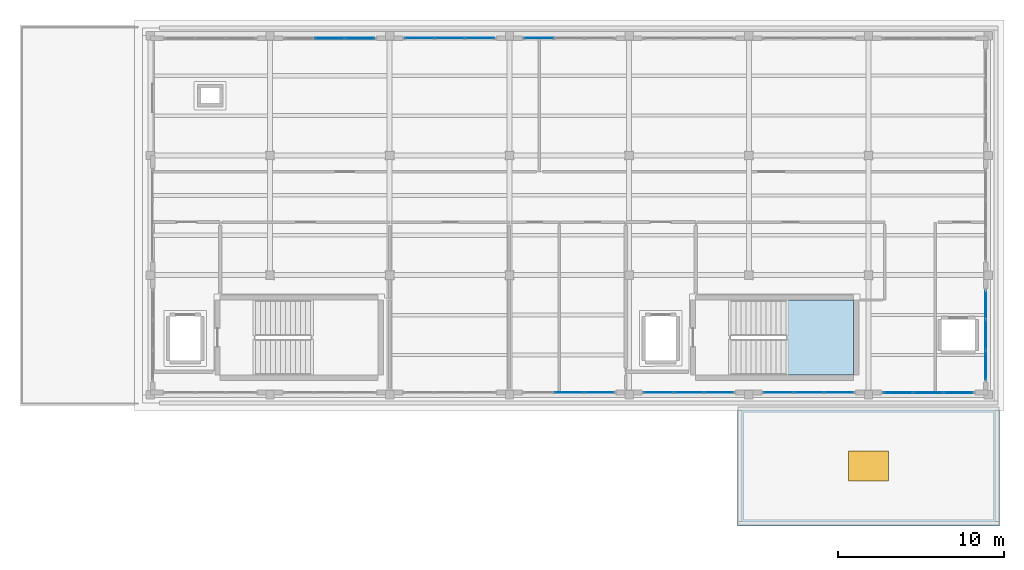
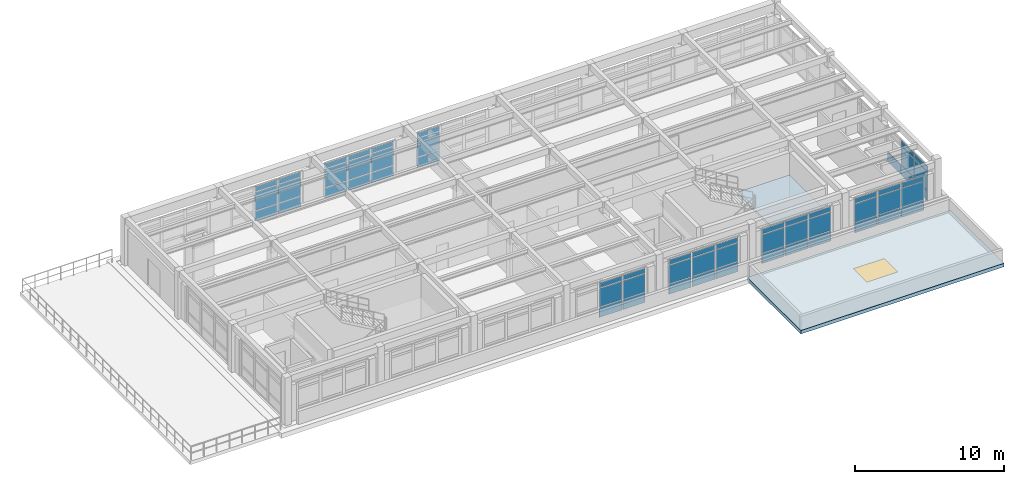
# One storey, part 9 of 15: 58 plates, 2 slabs, 1 window, 1 opening, 9 elements without a shape of their own.
"""IFC4 building model written with IfcOpenShell, lengths in metres."""

from ifc_helpers import new_model, si_unit, direction, frame, origin, origin_2d, place, context, subcontext, project, spatial, polyline, rectangle, outline, extrude, material, layer, layer_set, type_object, element, fill, aggregate, save


model = new_model("IFC4")

# Units and contexts
model_context = context("Model", 3, precision=1e-05, world=origin(), true_north=direction((0.0, 1.0)))
body_context = subcontext(model_context, "Body", "Model", "MODEL_VIEW")
ifc_project = project(units=[si_unit("LENGTHUNIT", "METRE"), si_unit("AREAUNIT", "SQUARE_METRE"), si_unit("VOLUMEUNIT", "CUBIC_METRE"), si_unit("PLANEANGLEUNIT", "RADIAN"), si_unit("MASSUNIT", "GRAM", prefix="KILO")], contexts=[model_context])

# Site, building, storey
site_placement = place(None, origin())
site = spatial("IfcSite", under=ifc_project, at=site_placement, CompositionType="ELEMENT")
building_placement = place(site_placement, origin())
building = spatial("IfcBuilding", under=site, at=building_placement, Name="Solenvale Faculty of Natural Sciences", CompositionType="ELEMENT")
storey_placement = place(building_placement, frame((0.0, 0.0, 48.0)))
storey = spatial("IfcBuildingStorey", under=building, at=storey_placement, Name="L11", CompositionType="ELEMENT", Elevation=48.0)

# Curtain wall, plates
ifc_material_1 = material(Name="Anodised bronze aluminium", Category="aluminium")
ifc_layer_1 = layer(ifc_material_1, 0.179931640625)
ifc_layer_set_1 = layer_set([ifc_layer_1], Name="Anodised bronze aluminium")
curtain_wall_type = type_object("IfcCurtainWallType", Name="CW-TWR-MOD", PredefinedType="USERDEFINED", material=ifc_layer_set_1)
curtain_wall_1_placement = place(storey_placement, origin())
curtain_wall_1 = element("IfcCurtainWall", 1, at=curtain_wall_1_placement, inside=storey, type_object=curtain_wall_type, Name="L11 Curtain Wall CW-L11-P1-E2-B4", ObjectType="UNITISED CURTAIN WALL", PredefinedType="USERDEFINED")
ifc_material_2 = material(Name="Triple low-E insulated glass", Category="glass")
ifc_layer_2 = layer(ifc_material_2, 0.035888671875)
ifc_layer_set_2 = layer_set([ifc_layer_2], Name="Triple low-E insulated glass")
plate_type_1 = type_object("IfcPlateType", Name="CWP-PNL-36", PredefinedType="CURTAIN_PANEL", material=ifc_layer_set_2)
plate_1_placement = place(storey_placement, frame((124.185302734375, 115.0576171875, 0.074951171875), z_axis=(0.0, 0.0, 1.0), x_axis=(-1.0, 0.0, 0.0)))
plate_1 = element("IfcPlate", 2, at=plate_1_placement, type_object=plate_type_1, Name="CW-04 panel 3.1", PredefinedType="CURTAIN_PANEL", context=body_context, shape_type="SweptSolid", body=[
    extrude(rectangle(XDim=1.720947265625, YDim=0.035888671875, at=origin_2d()), origin(), (0.0, 0.0, 1.0), 0.78759765625),
])
plate_2_placement = place(storey_placement, frame((124.185302734375, 115.0576171875, 0.9375), z_axis=(0.0, 0.0, 1.0), x_axis=(-1.0, 0.0, 0.0)))
plate_2 = element("IfcPlate", 3, at=plate_2_placement, type_object=plate_type_1, Name="CW-04 panel 3.2", PredefinedType="CURTAIN_PANEL", context=body_context, shape_type="SweptSolid", body=[
    extrude(rectangle(XDim=1.720947265625, YDim=0.035888671875, at=origin_2d()), origin(), (0.0, 0.0, 1.0), 1.485107421875),
])
plate_3_placement = place(storey_placement, frame((124.185302734375, 115.0576171875, 2.49755859375), z_axis=(0.0, 0.0, 1.0), x_axis=(-1.0, 0.0, 0.0)))
plate_3 = element("IfcPlate", 4, at=plate_3_placement, type_object=plate_type_1, Name="CW-04 panel 3.3", PredefinedType="CURTAIN_PANEL", context=body_context, shape_type="SweptSolid", body=[
    extrude(rectangle(XDim=1.720947265625, YDim=0.035888671875, at=origin_2d()), origin(), (0.0, 0.0, 1.0), 0.387451171875),
])
aggregate(curtain_wall_1, [plate_1, plate_2, plate_3])

curtain_wall_2_placement = place(storey_placement, origin())
curtain_wall_2 = element("IfcCurtainWall", 5, at=curtain_wall_2_placement, inside=storey, type_object=curtain_wall_type, Name="L11 Curtain Wall CW-L11-P1-E2-B5", ObjectType="UNITISED CURTAIN WALL", PredefinedType="USERDEFINED")
ifc_layer_3 = layer(ifc_material_2, 0.0400390625)
ifc_layer_set_3 = layer_set([ifc_layer_3], Name="Triple low-E insulated glass")
plate_type_2 = type_object("IfcPlateType", Name="CWP-PNL-40", PredefinedType="CURTAIN_PANEL", material=ifc_layer_set_3)
plate_4_placement = place(storey_placement, frame((120.614501953125, 115.0576171875, 0.074951171875), z_axis=(0.0, 0.0, 1.0), x_axis=(-1.0, 0.0, 0.0)))
plate_4 = element("IfcPlate", 6, at=plate_4_placement, type_object=plate_type_2, Name="CW-04 panel 1.1", PredefinedType="CURTAIN_PANEL", context=body_context, shape_type="SweptSolid", body=[
    extrude(rectangle(XDim=1.720947265625, YDim=0.0400390625, at=origin_2d()), origin(), (0.0, 0.0, 1.0), 0.78759765625),
])
plate_5_placement = place(storey_placement, frame((120.614501953125, 115.0576171875, 0.9375), z_axis=(0.0, 0.0, 1.0), x_axis=(-1.0, 0.0, 0.0)))
plate_5 = element("IfcPlate", 7, at=plate_5_placement, type_object=plate_type_2, Name="CW-04 panel 1.2", PredefinedType="CURTAIN_PANEL", context=body_context, shape_type="SweptSolid", body=[
    extrude(rectangle(XDim=1.720947265625, YDim=0.0400390625, at=origin_2d()), origin(), (0.0, 0.0, 1.0), 1.485107421875),
])
plate_6_placement = place(storey_placement, frame((120.614501953125, 115.0576171875, 2.49755859375), z_axis=(0.0, 0.0, 1.0), x_axis=(-1.0, 0.0, 0.0)))
plate_6 = element("IfcPlate", 8, at=plate_6_placement, type_object=plate_type_2, Name="CW-04 panel 1.3", PredefinedType="CURTAIN_PANEL", context=body_context, shape_type="SweptSolid", body=[
    extrude(rectangle(XDim=1.720947265625, YDim=0.0400390625, at=origin_2d()), origin(), (0.0, 0.0, 1.0), 0.387451171875),
])
plate_7_placement = place(storey_placement, frame((118.800048828125, 115.0576171875, 0.074951171875), z_axis=(0.0, 0.0, 1.0), x_axis=(-1.0, 0.0, 0.0)))
plate_7 = element("IfcPlate", 9, at=plate_7_placement, type_object=plate_type_2, Name="CW-04 panel 2.1", PredefinedType="CURTAIN_PANEL", context=body_context, shape_type="SweptSolid", body=[
    extrude(rectangle(XDim=1.75830078125, YDim=0.0400390625, at=origin_2d()), origin(), (0.0, 0.0, 1.0), 0.78759765625),
])
plate_8_placement = place(storey_placement, frame((118.800048828125, 115.0576171875, 0.9375), z_axis=(0.0, 0.0, 1.0), x_axis=(-1.0, 0.0, 0.0)))
plate_8 = element("IfcPlate", 10, at=plate_8_placement, type_object=plate_type_2, Name="CW-04 panel 2.2", PredefinedType="CURTAIN_PANEL", context=body_context, shape_type="SweptSolid", body=[
    extrude(rectangle(XDim=1.75830078125, YDim=0.0400390625, at=origin_2d()), origin(), (0.0, 0.0, 1.0), 1.485107421875),
])
plate_9_placement = place(storey_placement, frame((118.800048828125, 115.0576171875, 2.49755859375), z_axis=(0.0, 0.0, 1.0), x_axis=(-1.0, 0.0, 0.0)))
plate_9 = element("IfcPlate", 11, at=plate_9_placement, type_object=plate_type_2, Name="CW-04 panel 2.3", PredefinedType="CURTAIN_PANEL", context=body_context, shape_type="SweptSolid", body=[
    extrude(rectangle(XDim=1.75830078125, YDim=0.0400390625, at=origin_2d()), origin(), (0.0, 0.0, 1.0), 0.387451171875),
])
plate_10_placement = place(storey_placement, frame((116.9853515625, 115.0576171875, 0.074951171875), z_axis=(0.0, 0.0, 1.0), x_axis=(-1.0, 0.0, 0.0)))
plate_10 = element("IfcPlate", 12, at=plate_10_placement, type_object=plate_type_2, Name="CW-04 panel 3.1", PredefinedType="CURTAIN_PANEL", context=body_context, shape_type="SweptSolid", body=[
    extrude(rectangle(XDim=1.720947265625, YDim=0.0400390625, at=origin_2d()), origin(), (0.0, 0.0, 1.0), 0.78759765625),
])
plate_11_placement = place(storey_placement, frame((116.9853515625, 115.0576171875, 0.9375), z_axis=(0.0, 0.0, 1.0), x_axis=(-1.0, 0.0, 0.0)))
plate_11 = element("IfcPlate", 13, at=plate_11_placement, type_object=plate_type_2, Name="CW-04 panel 3.2", PredefinedType="CURTAIN_PANEL", context=body_context, shape_type="SweptSolid", body=[
    extrude(rectangle(XDim=1.720947265625, YDim=0.0400390625, at=origin_2d()), origin(), (0.0, 0.0, 1.0), 1.485107421875),
])
plate_12_placement = place(storey_placement, frame((116.9853515625, 115.0576171875, 2.49755859375), z_axis=(0.0, 0.0, 1.0), x_axis=(-1.0, 0.0, 0.0)))
plate_12 = element("IfcPlate", 14, at=plate_12_placement, type_object=plate_type_2, Name="CW-04 panel 3.3", PredefinedType="CURTAIN_PANEL", context=body_context, shape_type="SweptSolid", body=[
    extrude(rectangle(XDim=1.720947265625, YDim=0.0400390625, at=origin_2d()), origin(), (0.0, 0.0, 1.0), 0.387451171875),
])
aggregate(curtain_wall_2, [plate_4, plate_5, plate_6, plate_7, plate_8, plate_9, plate_10, plate_11, plate_12])

curtain_wall_3_placement = place(storey_placement, origin())
curtain_wall_3 = element("IfcCurtainWall", 15, at=curtain_wall_3_placement, inside=storey, type_object=curtain_wall_type, Name="L11 Curtain Wall CW-L11-P1-E2-B6", ObjectType="UNITISED CURTAIN WALL", PredefinedType="USERDEFINED")
ifc_layer_4 = layer(ifc_material_2, 0.0439453125)
ifc_layer_set_4 = layer_set([ifc_layer_4], Name="Triple low-E insulated glass")
plate_type_3 = type_object("IfcPlateType", Name="CWP-PNL-44", PredefinedType="CURTAIN_PANEL", material=ifc_layer_set_4)
plate_13_placement = place(storey_placement, frame((113.41455078125, 115.0576171875, 0.074951171875), z_axis=(0.0, 0.0, 1.0), x_axis=(-1.0, 0.0, 0.0)))
plate_13 = element("IfcPlate", 16, at=plate_13_placement, type_object=plate_type_3, Name="CW-04 panel 1.1", PredefinedType="CURTAIN_PANEL", context=body_context, shape_type="SweptSolid", body=[
    extrude(rectangle(XDim=1.720947265625, YDim=0.0439453125, at=origin_2d()), origin(), (0.0, 0.0, 1.0), 0.78759765625),
])
plate_14_placement = place(storey_placement, frame((113.41455078125, 115.0576171875, 0.9375), z_axis=(0.0, 0.0, 1.0), x_axis=(-1.0, 0.0, 0.0)))
plate_14 = element("IfcPlate", 17, at=plate_14_placement, type_object=plate_type_3, Name="CW-04 panel 1.2", PredefinedType="CURTAIN_PANEL", context=body_context, shape_type="SweptSolid", body=[
    extrude(rectangle(XDim=1.720947265625, YDim=0.0439453125, at=origin_2d()), origin(), (0.0, 0.0, 1.0), 1.485107421875),
])
plate_15_placement = place(storey_placement, frame((113.41455078125, 115.0576171875, 2.49755859375), z_axis=(0.0, 0.0, 1.0), x_axis=(-1.0, 0.0, 0.0)))
plate_15 = element("IfcPlate", 18, at=plate_15_placement, type_object=plate_type_3, Name="CW-04 panel 1.3", PredefinedType="CURTAIN_PANEL", context=body_context, shape_type="SweptSolid", body=[
    extrude(rectangle(XDim=1.720947265625, YDim=0.0439453125, at=origin_2d()), origin(), (0.0, 0.0, 1.0), 0.387451171875),
])
plate_16_placement = place(storey_placement, frame((111.60009765625, 115.0576171875, 0.074951171875), z_axis=(0.0, 0.0, 1.0), x_axis=(-1.0, 0.0, 0.0)))
plate_16 = element("IfcPlate", 19, at=plate_16_placement, type_object=plate_type_3, Name="CW-04 panel 2.1", PredefinedType="CURTAIN_PANEL", context=body_context, shape_type="SweptSolid", body=[
    extrude(rectangle(XDim=1.75830078125, YDim=0.0439453125, at=origin_2d()), origin(), (0.0, 0.0, 1.0), 0.78759765625),
])
plate_17_placement = place(storey_placement, frame((111.60009765625, 115.0576171875, 0.9375), z_axis=(0.0, 0.0, 1.0), x_axis=(-1.0, 0.0, 0.0)))
plate_17 = element("IfcPlate", 20, at=plate_17_placement, type_object=plate_type_3, Name="CW-04 panel 2.2", PredefinedType="CURTAIN_PANEL", context=body_context, shape_type="SweptSolid", body=[
    extrude(rectangle(XDim=1.75830078125, YDim=0.0439453125, at=origin_2d()), origin(), (0.0, 0.0, 1.0), 1.485107421875),
])
plate_18_placement = place(storey_placement, frame((111.60009765625, 115.0576171875, 2.49755859375), z_axis=(0.0, 0.0, 1.0), x_axis=(-1.0, 0.0, 0.0)))
plate_18 = element("IfcPlate", 21, at=plate_18_placement, type_object=plate_type_3, Name="CW-04 panel 2.3", PredefinedType="CURTAIN_PANEL", context=body_context, shape_type="SweptSolid", body=[
    extrude(rectangle(XDim=1.75830078125, YDim=0.0439453125, at=origin_2d()), origin(), (0.0, 0.0, 1.0), 0.387451171875),
])
aggregate(curtain_wall_3, [plate_13, plate_14, plate_15, plate_16, plate_17, plate_18])

curtain_wall_4_placement = place(storey_placement, origin())
curtain_wall_4 = element("IfcCurtainWall", 22, at=curtain_wall_4_placement, inside=storey, type_object=curtain_wall_type, Name="L11 Curtain Wall CW-L11-P1-E4-B4", ObjectType="UNITISED CURTAIN WALL", PredefinedType="USERDEFINED")
plate_19_placement = place(storey_placement, frame((126.0, 93.742431640625, 0.074951171875), z_axis=(0.0, 0.0, 1.0), x_axis=(1.0, 0.0, 0.0)))
plate_19 = element("IfcPlate", 23, at=plate_19_placement, type_object=plate_type_3, Name="CW-04 panel 2.1", PredefinedType="CURTAIN_PANEL", context=body_context, shape_type="SweptSolid", body=[
    extrude(rectangle(XDim=1.75830078125, YDim=0.0439453125, at=origin_2d()), origin(), (0.0, 0.0, 1.0), 0.78759765625),
])
plate_20_placement = place(storey_placement, frame((126.0, 93.742431640625, 0.9375), z_axis=(0.0, 0.0, 1.0), x_axis=(1.0, 0.0, 0.0)))
plate_20 = element("IfcPlate", 24, at=plate_20_placement, type_object=plate_type_3, Name="CW-04 panel 2.2", PredefinedType="CURTAIN_PANEL", context=body_context, shape_type="SweptSolid", body=[
    extrude(rectangle(XDim=1.75830078125, YDim=0.0439453125, at=origin_2d()), origin(), (0.0, 0.0, 1.0), 1.485107421875),
])
plate_21_placement = place(storey_placement, frame((126.0, 93.742431640625, 2.49755859375), z_axis=(0.0, 0.0, 1.0), x_axis=(1.0, 0.0, 0.0)))
plate_21 = element("IfcPlate", 25, at=plate_21_placement, type_object=plate_type_3, Name="CW-04 panel 2.3", PredefinedType="CURTAIN_PANEL", context=body_context, shape_type="SweptSolid", body=[
    extrude(rectangle(XDim=1.75830078125, YDim=0.0439453125, at=origin_2d()), origin(), (0.0, 0.0, 1.0), 0.387451171875),
])
plate_22_placement = place(storey_placement, frame((127.814697265625, 93.742431640625, 0.074951171875), z_axis=(0.0, 0.0, 1.0), x_axis=(1.0, 0.0, 0.0)))
plate_22 = element("IfcPlate", 26, at=plate_22_placement, type_object=plate_type_3, Name="CW-04 panel 3.1", PredefinedType="CURTAIN_PANEL", context=body_context, shape_type="SweptSolid", body=[
    extrude(rectangle(XDim=1.720947265625, YDim=0.0439453125, at=origin_2d()), origin(), (0.0, 0.0, 1.0), 0.78759765625),
])
plate_23_placement = place(storey_placement, frame((127.814697265625, 93.742431640625, 0.9375), z_axis=(0.0, 0.0, 1.0), x_axis=(1.0, 0.0, 0.0)))
plate_23 = element("IfcPlate", 27, at=plate_23_placement, type_object=plate_type_3, Name="CW-04 panel 3.2", PredefinedType="CURTAIN_PANEL", context=body_context, shape_type="SweptSolid", body=[
    extrude(rectangle(XDim=1.720947265625, YDim=0.0439453125, at=origin_2d()), origin(), (0.0, 0.0, 1.0), 1.485107421875),
])
plate_24_placement = place(storey_placement, frame((127.814697265625, 93.742431640625, 2.49755859375), z_axis=(0.0, 0.0, 1.0), x_axis=(1.0, 0.0, 0.0)))
plate_24 = element("IfcPlate", 28, at=plate_24_placement, type_object=plate_type_3, Name="CW-04 panel 3.3", PredefinedType="CURTAIN_PANEL", context=body_context, shape_type="SweptSolid", body=[
    extrude(rectangle(XDim=1.720947265625, YDim=0.0439453125, at=origin_2d()), origin(), (0.0, 0.0, 1.0), 0.387451171875),
])
aggregate(curtain_wall_4, [plate_19, plate_20, plate_21, plate_22, plate_23, plate_24])

curtain_wall_5_placement = place(storey_placement, origin())
curtain_wall_5 = element("IfcCurtainWall", 29, at=curtain_wall_5_placement, inside=storey, type_object=curtain_wall_type, Name="L11 Curtain Wall CW-L11-P1-E4-B5", ObjectType="UNITISED CURTAIN WALL", PredefinedType="USERDEFINED")
ifc_layer_5 = layer(ifc_material_1, 0.048095703125)
ifc_layer_set_5 = layer_set([ifc_layer_5], Name="Anodised bronze aluminium")
plate_type_4 = type_object("IfcPlateType", Name="CWP-PNL-48", PredefinedType="CURTAIN_PANEL", material=ifc_layer_set_5)
plate_25_placement = place(storey_placement, frame((131.385498046875, 93.742431640625, 0.074951171875), z_axis=(0.0, 0.0, 1.0), x_axis=(1.0, 0.0, 0.0)))
plate_25 = element("IfcPlate", 30, at=plate_25_placement, type_object=plate_type_4, Name="CW-04 panel 1.1", PredefinedType="CURTAIN_PANEL", context=body_context, shape_type="SweptSolid", body=[
    extrude(rectangle(XDim=1.720947265625, YDim=0.048095703125, at=origin_2d()), origin(), (0.0, 0.0, 1.0), 0.78759765625),
])
plate_26_placement = place(storey_placement, frame((131.385498046875, 93.742431640625, 0.9375), z_axis=(0.0, 0.0, 1.0), x_axis=(1.0, 0.0, 0.0)))
plate_26 = element("IfcPlate", 31, at=plate_26_placement, type_object=plate_type_4, Name="CW-04 panel 1.2", PredefinedType="CURTAIN_PANEL", context=body_context, shape_type="SweptSolid", body=[
    extrude(rectangle(XDim=1.720947265625, YDim=0.048095703125, at=origin_2d()), origin(), (0.0, 0.0, 1.0), 1.485107421875),
])
plate_27_placement = place(storey_placement, frame((131.385498046875, 93.742431640625, 2.49755859375), z_axis=(0.0, 0.0, 1.0), x_axis=(1.0, 0.0, 0.0)))
plate_27 = element("IfcPlate", 32, at=plate_27_placement, type_object=plate_type_4, Name="CW-04 panel 1.3", PredefinedType="CURTAIN_PANEL", context=body_context, shape_type="SweptSolid", body=[
    extrude(rectangle(XDim=1.720947265625, YDim=0.048095703125, at=origin_2d()), origin(), (0.0, 0.0, 1.0), 0.387451171875),
])
plate_28_placement = place(storey_placement, frame((133.199951171875, 93.742431640625, 0.074951171875), z_axis=(0.0, 0.0, 1.0), x_axis=(1.0, 0.0, 0.0)))
plate_28 = element("IfcPlate", 33, at=plate_28_placement, type_object=plate_type_4, Name="CW-04 panel 2.1", PredefinedType="CURTAIN_PANEL", context=body_context, shape_type="SweptSolid", body=[
    extrude(rectangle(XDim=1.75830078125, YDim=0.048095703125, at=origin_2d()), origin(), (0.0, 0.0, 1.0), 0.78759765625),
])
plate_29_placement = place(storey_placement, frame((133.199951171875, 93.742431640625, 0.9375), z_axis=(0.0, 0.0, 1.0), x_axis=(1.0, 0.0, 0.0)))
plate_29 = element("IfcPlate", 34, at=plate_29_placement, type_object=plate_type_4, Name="CW-04 panel 2.2", PredefinedType="CURTAIN_PANEL", context=body_context, shape_type="SweptSolid", body=[
    extrude(rectangle(XDim=1.75830078125, YDim=0.048095703125, at=origin_2d()), origin(), (0.0, 0.0, 1.0), 1.485107421875),
])
plate_30_placement = place(storey_placement, frame((133.199951171875, 93.742431640625, 2.49755859375), z_axis=(0.0, 0.0, 1.0), x_axis=(1.0, 0.0, 0.0)))
plate_30 = element("IfcPlate", 35, at=plate_30_placement, type_object=plate_type_4, Name="CW-04 panel 2.3", PredefinedType="CURTAIN_PANEL", context=body_context, shape_type="SweptSolid", body=[
    extrude(rectangle(XDim=1.75830078125, YDim=0.048095703125, at=origin_2d()), origin(), (0.0, 0.0, 1.0), 0.387451171875),
])
plate_31_placement = place(storey_placement, frame((135.0146484375, 93.742431640625, 0.074951171875), z_axis=(0.0, 0.0, 1.0), x_axis=(1.0, 0.0, 0.0)))
plate_31 = element("IfcPlate", 36, at=plate_31_placement, type_object=plate_type_4, Name="CW-04 panel 3.1", PredefinedType="CURTAIN_PANEL", context=body_context, shape_type="SweptSolid", body=[
    extrude(rectangle(XDim=1.720947265625, YDim=0.048095703125, at=origin_2d()), origin(), (0.0, 0.0, 1.0), 0.78759765625),
])
plate_32_placement = place(storey_placement, frame((135.0146484375, 93.742431640625, 0.9375), z_axis=(0.0, 0.0, 1.0), x_axis=(1.0, 0.0, 0.0)))
plate_32 = element("IfcPlate", 37, at=plate_32_placement, type_object=plate_type_4, Name="CW-04 panel 3.2", PredefinedType="CURTAIN_PANEL", context=body_context, shape_type="SweptSolid", body=[
    extrude(rectangle(XDim=1.720947265625, YDim=0.048095703125, at=origin_2d()), origin(), (0.0, 0.0, 1.0), 1.485107421875),
])
plate_33_placement = place(storey_placement, frame((135.0146484375, 93.742431640625, 2.49755859375), z_axis=(0.0, 0.0, 1.0), x_axis=(1.0, 0.0, 0.0)))
plate_33 = element("IfcPlate", 38, at=plate_33_placement, type_object=plate_type_4, Name="CW-04 panel 3.3", PredefinedType="CURTAIN_PANEL", context=body_context, shape_type="SweptSolid", body=[
    extrude(rectangle(XDim=1.720947265625, YDim=0.048095703125, at=origin_2d()), origin(), (0.0, 0.0, 1.0), 0.387451171875),
])
aggregate(curtain_wall_5, [plate_25, plate_26, plate_27, plate_28, plate_29, plate_30, plate_31, plate_32, plate_33])

curtain_wall_6_placement = place(storey_placement, origin())
curtain_wall_6 = element("IfcCurtainWall", 39, at=curtain_wall_6_placement, inside=storey, type_object=curtain_wall_type, Name="L11 Curtain Wall CW-L11-P1-E1-B1", ObjectType="UNITISED CURTAIN WALL", PredefinedType="USERDEFINED")
ifc_layer_6 = layer(ifc_material_1, 0.053955078125)
ifc_layer_set_6 = layer_set([ifc_layer_6], Name="Anodised bronze aluminium")
plate_type_5 = type_object("IfcPlateType", Name="CWP-PNL-54", PredefinedType="CURTAIN_PANEL", material=ifc_layer_set_6)
plate_34_placement = place(storey_placement, frame((151.0576171875, 95.385498046875, 0.074951171875), z_axis=(0.0, 0.0, 1.0), x_axis=(0.0, 1.0, 0.0)))
plate_34 = element("IfcPlate", 40, at=plate_34_placement, type_object=plate_type_5, Name="CW-04 panel 1.1", PredefinedType="CURTAIN_PANEL", context=body_context, shape_type="SweptSolid", body=[
    extrude(rectangle(XDim=1.720947265625, YDim=0.053955078125, at=origin_2d()), origin(), (0.0, 0.0, 1.0), 0.78759765625),
])
plate_35_placement = place(storey_placement, frame((151.0576171875, 95.385498046875, 0.9375), z_axis=(0.0, 0.0, 1.0), x_axis=(0.0, 1.0, 0.0)))
plate_35 = element("IfcPlate", 41, at=plate_35_placement, type_object=plate_type_5, Name="CW-04 panel 1.2", PredefinedType="CURTAIN_PANEL", context=body_context, shape_type="SweptSolid", body=[
    extrude(rectangle(XDim=1.720947265625, YDim=0.053955078125, at=origin_2d()), origin(), (0.0, 0.0, 1.0), 1.485107421875),
])
plate_36_placement = place(storey_placement, frame((151.0576171875, 95.385498046875, 2.49755859375), z_axis=(0.0, 0.0, 1.0), x_axis=(0.0, 1.0, 0.0)))
plate_36 = element("IfcPlate", 42, at=plate_36_placement, type_object=plate_type_5, Name="CW-04 panel 1.3", PredefinedType="CURTAIN_PANEL", context=body_context, shape_type="SweptSolid", body=[
    extrude(rectangle(XDim=1.720947265625, YDim=0.053955078125, at=origin_2d()), origin(), (0.0, 0.0, 1.0), 0.387451171875),
])
plate_37_placement = place(storey_placement, frame((151.0576171875, 97.199951171875, 0.074951171875), z_axis=(0.0, 0.0, 1.0), x_axis=(0.0, 1.0, 0.0)))
plate_37 = element("IfcPlate", 43, at=plate_37_placement, type_object=plate_type_5, Name="CW-04 panel 2.1", PredefinedType="CURTAIN_PANEL", context=body_context, shape_type="SweptSolid", body=[
    extrude(rectangle(XDim=1.75830078125, YDim=0.053955078125, at=origin_2d()), origin(), (0.0, 0.0, 1.0), 0.78759765625),
])
plate_38_placement = place(storey_placement, frame((151.0576171875, 97.199951171875, 0.9375), z_axis=(0.0, 0.0, 1.0), x_axis=(0.0, 1.0, 0.0)))
plate_38 = element("IfcPlate", 44, at=plate_38_placement, type_object=plate_type_5, Name="CW-04 panel 2.2", PredefinedType="CURTAIN_PANEL", context=body_context, shape_type="SweptSolid", body=[
    extrude(rectangle(XDim=1.75830078125, YDim=0.053955078125, at=origin_2d()), origin(), (0.0, 0.0, 1.0), 1.485107421875),
])
plate_39_placement = place(storey_placement, frame((151.0576171875, 97.199951171875, 2.49755859375), z_axis=(0.0, 0.0, 1.0), x_axis=(0.0, 1.0, 0.0)))
plate_39 = element("IfcPlate", 45, at=plate_39_placement, type_object=plate_type_5, Name="CW-04 panel 2.3", PredefinedType="CURTAIN_PANEL", context=body_context, shape_type="SweptSolid", body=[
    extrude(rectangle(XDim=1.75830078125, YDim=0.053955078125, at=origin_2d()), origin(), (0.0, 0.0, 1.0), 0.387451171875),
])
plate_40_placement = place(storey_placement, frame((151.0576171875, 99.0146484375, 0.074951171875), z_axis=(0.0, 0.0, 1.0), x_axis=(0.0, 1.0, 0.0)))
plate_40 = element("IfcPlate", 46, at=plate_40_placement, type_object=plate_type_5, Name="CW-04 panel 3.1", PredefinedType="CURTAIN_PANEL", context=body_context, shape_type="SweptSolid", body=[
    extrude(rectangle(XDim=1.720947265625, YDim=0.053955078125, at=origin_2d()), origin(), (0.0, 0.0, 1.0), 0.78759765625),
])
aggregate(curtain_wall_6, [plate_34, plate_35, plate_36, plate_37, plate_38, plate_39, plate_40])

curtain_wall_7_placement = place(storey_placement, origin())
curtain_wall_7 = element("IfcCurtainWall", 47, at=curtain_wall_7_placement, inside=storey, type_object=curtain_wall_type, Name="L11 Curtain Wall CW-L11-P1-E4-B6", ObjectType="UNITISED CURTAIN WALL", PredefinedType="USERDEFINED")
plate_41_placement = place(storey_placement, frame((138.58544921875, 93.742431640625, 0.074951171875), z_axis=(0.0, 0.0, 1.0), x_axis=(1.0, 0.0, 0.0)))
plate_41 = element("IfcPlate", 48, at=plate_41_placement, type_object=plate_type_5, Name="CW-04 panel 1.1", PredefinedType="CURTAIN_PANEL", context=body_context, shape_type="SweptSolid", body=[
    extrude(rectangle(XDim=1.720947265625, YDim=0.053955078125, at=origin_2d()), origin(), (0.0, 0.0, 1.0), 0.78759765625),
])
plate_42_placement = place(storey_placement, frame((138.58544921875, 93.742431640625, 0.9375), z_axis=(0.0, 0.0, 1.0), x_axis=(1.0, 0.0, 0.0)))
plate_42 = element("IfcPlate", 49, at=plate_42_placement, type_object=plate_type_5, Name="CW-04 panel 1.2", PredefinedType="CURTAIN_PANEL", context=body_context, shape_type="SweptSolid", body=[
    extrude(rectangle(XDim=1.720947265625, YDim=0.053955078125, at=origin_2d()), origin(), (0.0, 0.0, 1.0), 1.485107421875),
])
plate_43_placement = place(storey_placement, frame((138.58544921875, 93.742431640625, 2.49755859375), z_axis=(0.0, 0.0, 1.0), x_axis=(1.0, 0.0, 0.0)))
plate_43 = element("IfcPlate", 50, at=plate_43_placement, type_object=plate_type_5, Name="CW-04 panel 1.3", PredefinedType="CURTAIN_PANEL", context=body_context, shape_type="SweptSolid", body=[
    extrude(rectangle(XDim=1.720947265625, YDim=0.053955078125, at=origin_2d()), origin(), (0.0, 0.0, 1.0), 0.387451171875),
])
plate_44_placement = place(storey_placement, frame((140.39990234375, 93.742431640625, 0.074951171875), z_axis=(0.0, 0.0, 1.0), x_axis=(1.0, 0.0, 0.0)))
plate_44 = element("IfcPlate", 51, at=plate_44_placement, type_object=plate_type_5, Name="CW-04 panel 2.1", PredefinedType="CURTAIN_PANEL", context=body_context, shape_type="SweptSolid", body=[
    extrude(rectangle(XDim=1.75830078125, YDim=0.053955078125, at=origin_2d()), origin(), (0.0, 0.0, 1.0), 0.78759765625),
])
plate_45_placement = place(storey_placement, frame((140.39990234375, 93.742431640625, 0.9375), z_axis=(0.0, 0.0, 1.0), x_axis=(1.0, 0.0, 0.0)))
plate_45 = element("IfcPlate", 52, at=plate_45_placement, type_object=plate_type_5, Name="CW-04 panel 2.2", PredefinedType="CURTAIN_PANEL", context=body_context, shape_type="SweptSolid", body=[
    extrude(rectangle(XDim=1.75830078125, YDim=0.053955078125, at=origin_2d()), origin(), (0.0, 0.0, 1.0), 1.485107421875),
])
plate_46_placement = place(storey_placement, frame((140.39990234375, 93.742431640625, 2.49755859375), z_axis=(0.0, 0.0, 1.0), x_axis=(1.0, 0.0, 0.0)))
plate_46 = element("IfcPlate", 53, at=plate_46_placement, type_object=plate_type_5, Name="CW-04 panel 2.3", PredefinedType="CURTAIN_PANEL", context=body_context, shape_type="SweptSolid", body=[
    extrude(rectangle(XDim=1.75830078125, YDim=0.053955078125, at=origin_2d()), origin(), (0.0, 0.0, 1.0), 0.387451171875),
])
plate_47_placement = place(storey_placement, frame((142.214599609375, 93.742431640625, 0.074951171875), z_axis=(0.0, 0.0, 1.0), x_axis=(1.0, 0.0, 0.0)))
plate_47 = element("IfcPlate", 54, at=plate_47_placement, type_object=plate_type_5, Name="CW-04 panel 3.1", PredefinedType="CURTAIN_PANEL", context=body_context, shape_type="SweptSolid", body=[
    extrude(rectangle(XDim=1.720947265625, YDim=0.053955078125, at=origin_2d()), origin(), (0.0, 0.0, 1.0), 0.78759765625),
])
plate_48_placement = place(storey_placement, frame((142.214599609375, 93.742431640625, 0.9375), z_axis=(0.0, 0.0, 1.0), x_axis=(1.0, 0.0, 0.0)))
plate_48 = element("IfcPlate", 55, at=plate_48_placement, type_object=plate_type_5, Name="CW-04 panel 3.2", PredefinedType="CURTAIN_PANEL", context=body_context, shape_type="SweptSolid", body=[
    extrude(rectangle(XDim=1.720947265625, YDim=0.053955078125, at=origin_2d()), origin(), (0.0, 0.0, 1.0), 1.485107421875),
])
plate_49_placement = place(storey_placement, frame((142.214599609375, 93.742431640625, 2.49755859375), z_axis=(0.0, 0.0, 1.0), x_axis=(1.0, 0.0, 0.0)))
plate_49 = element("IfcPlate", 56, at=plate_49_placement, type_object=plate_type_5, Name="CW-04 panel 3.3", PredefinedType="CURTAIN_PANEL", context=body_context, shape_type="SweptSolid", body=[
    extrude(rectangle(XDim=1.720947265625, YDim=0.053955078125, at=origin_2d()), origin(), (0.0, 0.0, 1.0), 0.387451171875),
])
aggregate(curtain_wall_7, [plate_41, plate_42, plate_43, plate_44, plate_45, plate_46, plate_47, plate_48, plate_49])

curtain_wall_8_placement = place(storey_placement, origin())
curtain_wall_8 = element("IfcCurtainWall", 57, at=curtain_wall_8_placement, inside=storey, type_object=curtain_wall_type, Name="L11 Curtain Wall CW-L11-P1-E4-B7", ObjectType="UNITISED CURTAIN WALL", PredefinedType="USERDEFINED")
ifc_layer_7 = layer(ifc_material_1, 0.06005859375)
ifc_layer_set_7 = layer_set([ifc_layer_7], Name="Anodised bronze aluminium")
plate_type_6 = type_object("IfcPlateType", Name="CWP-PNL-60", PredefinedType="CURTAIN_PANEL", material=ifc_layer_set_7)
plate_50_placement = place(storey_placement, frame((145.785400390625, 93.742431640625, 0.074951171875), z_axis=(0.0, 0.0, 1.0), x_axis=(1.0, 0.0, 0.0)))
plate_50 = element("IfcPlate", 58, at=plate_50_placement, type_object=plate_type_6, Name="CW-04 panel 1.1", PredefinedType="CURTAIN_PANEL", context=body_context, shape_type="SweptSolid", body=[
    extrude(rectangle(XDim=1.720947265625, YDim=0.06005859375, at=origin_2d()), origin(), (0.0, 0.0, 1.0), 0.78759765625),
])
plate_51_placement = place(storey_placement, frame((145.785400390625, 93.742431640625, 0.9375), z_axis=(0.0, 0.0, 1.0), x_axis=(1.0, 0.0, 0.0)))
plate_51 = element("IfcPlate", 59, at=plate_51_placement, type_object=plate_type_6, Name="CW-04 panel 1.2", PredefinedType="CURTAIN_PANEL", context=body_context, shape_type="SweptSolid", body=[
    extrude(rectangle(XDim=1.720947265625, YDim=0.06005859375, at=origin_2d()), origin(), (0.0, 0.0, 1.0), 1.485107421875),
])
plate_52_placement = place(storey_placement, frame((145.785400390625, 93.742431640625, 2.49755859375), z_axis=(0.0, 0.0, 1.0), x_axis=(1.0, 0.0, 0.0)))
plate_52 = element("IfcPlate", 60, at=plate_52_placement, type_object=plate_type_6, Name="CW-04 panel 1.3", PredefinedType="CURTAIN_PANEL", context=body_context, shape_type="SweptSolid", body=[
    extrude(rectangle(XDim=1.720947265625, YDim=0.06005859375, at=origin_2d()), origin(), (0.0, 0.0, 1.0), 0.387451171875),
])
plate_53_placement = place(storey_placement, frame((147.60009765625, 93.742431640625, 0.074951171875), z_axis=(0.0, 0.0, 1.0), x_axis=(1.0, 0.0, 0.0)))
plate_53 = element("IfcPlate", 61, at=plate_53_placement, type_object=plate_type_6, Name="CW-04 panel 2.1", PredefinedType="CURTAIN_PANEL", context=body_context, shape_type="SweptSolid", body=[
    extrude(rectangle(XDim=1.75830078125, YDim=0.06005859375, at=origin_2d()), origin(), (0.0, 0.0, 1.0), 0.78759765625),
])
plate_54_placement = place(storey_placement, frame((147.60009765625, 93.742431640625, 0.9375), z_axis=(0.0, 0.0, 1.0), x_axis=(1.0, 0.0, 0.0)))
plate_54 = element("IfcPlate", 62, at=plate_54_placement, type_object=plate_type_6, Name="CW-04 panel 2.2", PredefinedType="CURTAIN_PANEL", context=body_context, shape_type="SweptSolid", body=[
    extrude(rectangle(XDim=1.75830078125, YDim=0.06005859375, at=origin_2d()), origin(), (0.0, 0.0, 1.0), 1.485107421875),
])
plate_55_placement = place(storey_placement, frame((147.60009765625, 93.742431640625, 2.49755859375), z_axis=(0.0, 0.0, 1.0), x_axis=(1.0, 0.0, 0.0)))
plate_55 = element("IfcPlate", 63, at=plate_55_placement, type_object=plate_type_6, Name="CW-04 panel 2.3", PredefinedType="CURTAIN_PANEL", context=body_context, shape_type="SweptSolid", body=[
    extrude(rectangle(XDim=1.75830078125, YDim=0.06005859375, at=origin_2d()), origin(), (0.0, 0.0, 1.0), 0.387451171875),
])
plate_56_placement = place(storey_placement, frame((149.41455078125, 93.742431640625, 0.074951171875), z_axis=(0.0, 0.0, 1.0), x_axis=(1.0, 0.0, 0.0)))
plate_56 = element("IfcPlate", 64, at=plate_56_placement, type_object=plate_type_6, Name="CW-04 panel 3.1", PredefinedType="CURTAIN_PANEL", context=body_context, shape_type="SweptSolid", body=[
    extrude(rectangle(XDim=1.720947265625, YDim=0.06005859375, at=origin_2d()), origin(), (0.0, 0.0, 1.0), 0.78759765625),
])
plate_57_placement = place(storey_placement, frame((149.41455078125, 93.742431640625, 0.9375), z_axis=(0.0, 0.0, 1.0), x_axis=(1.0, 0.0, 0.0)))
plate_57 = element("IfcPlate", 65, at=plate_57_placement, type_object=plate_type_6, Name="CW-04 panel 3.2", PredefinedType="CURTAIN_PANEL", context=body_context, shape_type="SweptSolid", body=[
    extrude(rectangle(XDim=1.720947265625, YDim=0.06005859375, at=origin_2d()), origin(), (0.0, 0.0, 1.0), 1.485107421875),
])
plate_58_placement = place(storey_placement, frame((149.41455078125, 93.742431640625, 2.49755859375), z_axis=(0.0, 0.0, 1.0), x_axis=(1.0, 0.0, 0.0)))
plate_58 = element("IfcPlate", 66, at=plate_58_placement, type_object=plate_type_6, Name="CW-04 panel 3.3", PredefinedType="CURTAIN_PANEL", context=body_context, shape_type="SweptSolid", body=[
    extrude(rectangle(XDim=1.720947265625, YDim=0.06005859375, at=origin_2d()), origin(), (0.0, 0.0, 1.0), 0.387451171875),
])
aggregate(curtain_wall_8, [plate_50, plate_51, plate_52, plate_53, plate_54, plate_55, plate_56, plate_57, plate_58])

# Stair, slab
ifc_material_3 = material(Name="Concrete 40 MPa", Category="concrete")
stair_type = type_object("IfcStairType", Name="STR-CORE-25R", PredefinedType="DOUBLE_RETURN_STAIR", material=ifc_material_3)
stair_placement = place(storey_placement, origin())
stair = element("IfcStair", 67, at=stair_placement, inside=storey, type_object=stair_type, Name="L11 Protected Exit Stair ST-05", PredefinedType="DOUBLE_RETURN_STAIR")
ifc_layer_8 = layer(ifc_material_3, 0.195068359375)
ifc_layer_set_8 = layer_set([ifc_layer_8], Name="Concrete 40 MPa")
slab_type_1 = type_object("IfcSlabType", Name="SL-LND-195", PredefinedType="LANDING", material=ifc_layer_set_8)
slab_1_placement = place(storey_placement, frame((0.0, 0.0, 1.89990234375)))
slab_1 = element("IfcSlab", 68, at=slab_1_placement, type_object=slab_type_1, Name="ST-05 landing 1", PredefinedType="LANDING", context=body_context, shape_type="SweptSolid", body=[
    extrude(outline(polyline([(139.0400390625, 94.800048828125), (143.10009765625, 94.800048828125), (143.10009765625, 99.300048828125), (139.0400390625, 99.300048828125), (139.0400390625, 94.800048828125)])), origin(), (0.0, 0.0, 1.0), 0.2001953125),
])
aggregate(stair, [slab_1])

# Slab, opening, window
ifc_layer_9 = layer(ifc_material_3, 0.280029296875)
ifc_layer_set_9 = layer_set([ifc_layer_9], Name="Concrete 40 MPa")
slab_type_2 = type_object("IfcSlabType", Name="SL-ROOF-280", PredefinedType="ROOF", material=ifc_layer_set_9)
slab_2_placement = place(storey_placement, frame((0.0, 0.0, -0.280029296875)))
slab_2 = element("IfcSlab", 69, at=slab_2_placement, inside=storey, type_object=slab_type_2, Name="L11 Flat Roof Deck 1", PredefinedType="ROOF", context=body_context, shape_type="SweptSolid", body=[
    extrude(outline(polyline([(136.1201171875, 85.719970703125), (136.1201171875, 92.919921875), (151.8798828125, 92.919921875), (151.8798828125, 85.719970703125), (136.1201171875, 85.719970703125)])), origin(), (0.0, 0.0, 1.0), 0.280029296875),
])
opening_placement = place(slab_2_placement, frame((144.0, 89.320068359375, -0.010009765625)))
opening = element("IfcOpeningElement", 70, at=opening_placement, cuts=slab_2, Name="Opening SK-05", PredefinedType="OPENING", context=body_context, shape_type="SweptSolid", body=[
    extrude(rectangle(XDim=2.39990234375, YDim=1.800048828125, at=origin_2d()), origin(), (0.0, 0.0, 1.0), 0.300048828125),
])
ifc_material_4 = material(Name="North-light skylight glass", Category="glass")
window_type = type_object("IfcWindowType", Name="SK-HT-2400x1800", PartitioningType="SINGLE_PANEL", PredefinedType="SKYLIGHT", material=ifc_material_4)
window_placement = place(slab_2_placement, frame((144.0, 89.320068359375, 0.22998046875)))
window = element("IfcWindow", 71, at=window_placement, inside=storey, type_object=window_type, Name="L11 Roof Skylight Hatch 5", OverallHeight=1.800048828125, OverallWidth=2.39990234375, PartitioningType="SINGLE_PANEL", PredefinedType="SKYLIGHT", context=body_context, shape_type="SweptSolid", body=[
    extrude(rectangle(XDim=2.39990234375, YDim=1.800048828125, at=origin_2d()), origin(), (0.0, 0.0, 1.0), 0.050048828125),
])
fill(opening, window)

save(model, "model.ifc")
